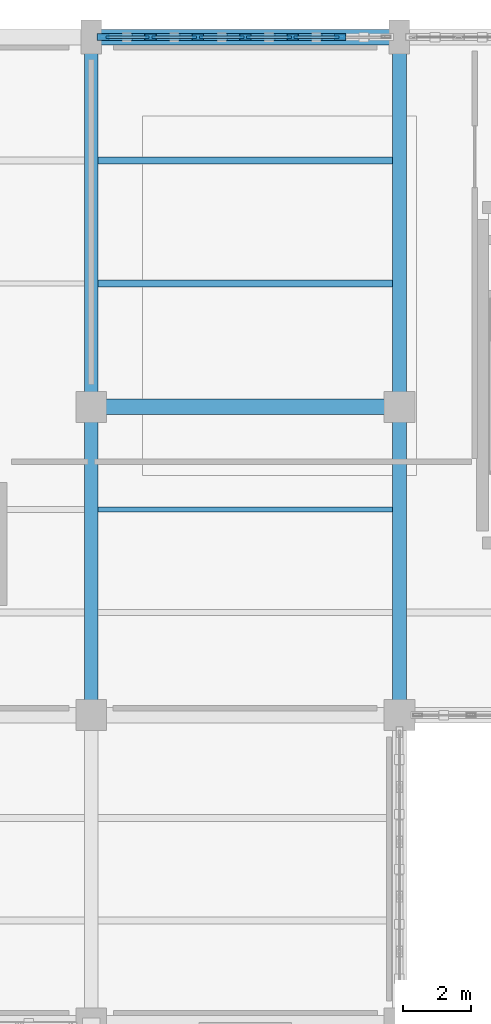
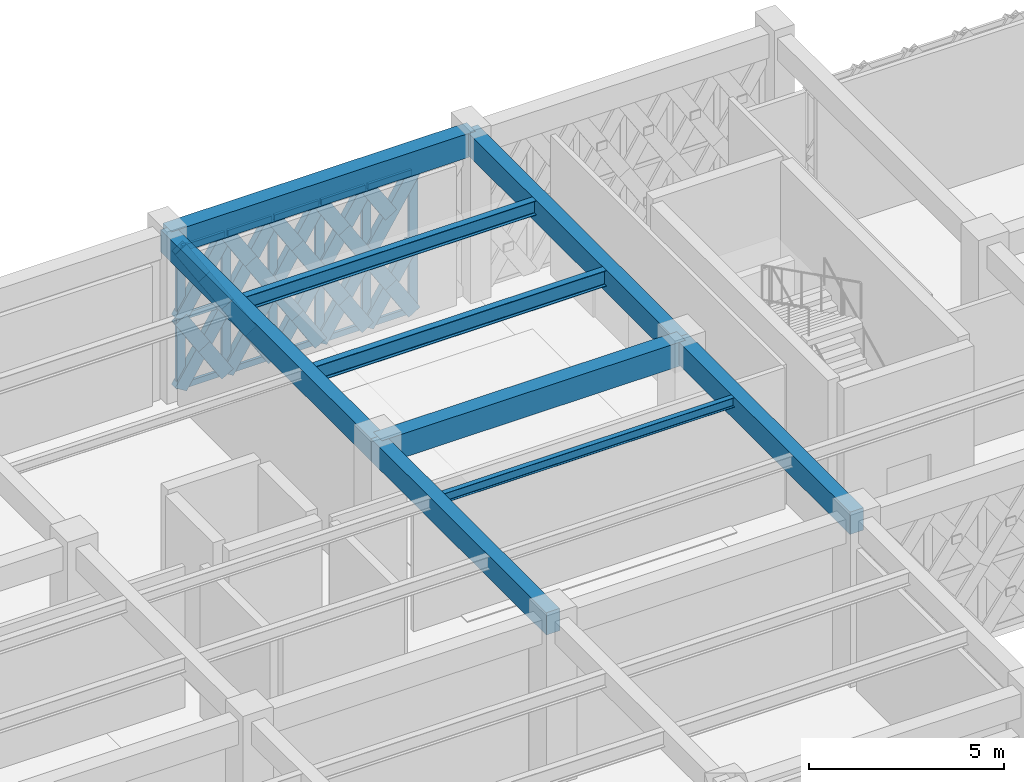
# One storey, part 91 of 166: 50 members, 9 beams, 1 element without a shape of its own.
"""IFC4 building model written with IfcOpenShell, lengths in metres."""

from ifc_helpers import new_model, si_unit, direction, frame, origin, origin_2d, place, context, subcontext, project, spatial, rectangle, hollow_rectangle, i_section, extrude, material, material_profile, profile_set, type_object, element, aggregate, save


model = new_model("IFC4")

# Units and contexts
model_context = context("Model", 3, precision=1e-05, world=origin(), true_north=direction((0.0, 1.0)))
body_context = subcontext(model_context, "Body", "Model", "MODEL_VIEW")
ifc_project = project(units=[si_unit("LENGTHUNIT", "METRE"), si_unit("AREAUNIT", "SQUARE_METRE"), si_unit("VOLUMEUNIT", "CUBIC_METRE"), si_unit("PLANEANGLEUNIT", "RADIAN"), si_unit("MASSUNIT", "GRAM", prefix="KILO")], contexts=[model_context])

# Site, building, storey
site_placement = place(None, origin())
site = spatial("IfcSite", under=ifc_project, at=site_placement, CompositionType="ELEMENT")
building_placement = place(site_placement, origin())
building = spatial("IfcBuilding", under=site, at=building_placement, Name="Haizhuo Lancet Aquarium", CompositionType="ELEMENT")
storey_placement = place(building_placement, frame((0.0, 0.0, 5.39990234375)))
storey = spatial("IfcBuildingStorey", under=building, at=storey_placement, Name="L01", CompositionType="ELEMENT", Elevation=5.39990234375)

# Beams
ifc_material_1 = material(Name="Concrete C40/50", Category="concrete")
ifc_material_profile_1 = material_profile(ifc_material_1, rectangle(XDim=0.39990234375, YDim=0.699951171875, at=origin_2d()), Name="RC-BM 400x700")
ifc_profile_set_1 = profile_set([ifc_material_profile_1], Name="Concrete C40/50")
beam_type_1 = type_object("IfcBeamType", Name="BM-RC-400x700", PredefinedType="BEAM", material=ifc_profile_set_1)
beam_1_placement = place(storey_placement, frame((0.0, 36.0, 4.7900390625), z_axis=(0.0, 1.0, 0.0), x_axis=(-1.0, 0.0, 0.0)))
element("IfcBeam", 1, at=beam_1_placement, inside=storey, type_object=beam_type_1, Name="L01 V5 primary girder BM-L01-V5-018", PredefinedType="BEAM", context=body_context, shape_type="SweptSolid", body=[
    extrude(rectangle(XDim=0.39990234375, YDim=0.699951171875, at=origin_2d()), origin(), (0.0, 0.0, 1.0), 9.0),
])
beam_2_placement = place(storey_placement, frame((0.0, 45.0, 4.7900390625), z_axis=(0.0, 1.0, 0.0), x_axis=(-1.0, 0.0, 0.0)))
element("IfcBeam", 2, at=beam_2_placement, inside=storey, type_object=beam_type_1, Name="L01 V5 primary girder BM-L01-V5-020", PredefinedType="BEAM", context=body_context, shape_type="SweptSolid", body=[
    extrude(rectangle(XDim=0.39990234375, YDim=0.699951171875, at=origin_2d()), origin(), (0.0, 0.0, 1.0), 10.800048828125),
])
beam_3_placement = place(storey_placement, frame((9.0, 36.0, 4.7900390625), z_axis=(0.0, 1.0, 0.0), x_axis=(-1.0, 0.0, 0.0)))
element("IfcBeam", 3, at=beam_3_placement, inside=storey, type_object=beam_type_1, Name="L01 V5 primary girder BM-L01-V5-024", PredefinedType="BEAM", context=body_context, shape_type="SweptSolid", body=[
    extrude(rectangle(XDim=0.39990234375, YDim=0.699951171875, at=origin_2d()), origin(), (0.0, 0.0, 1.0), 9.0),
])
beam_4_placement = place(storey_placement, frame((9.0, 45.0, 4.7900390625), z_axis=(0.0, 1.0, 0.0), x_axis=(-1.0, 0.0, 0.0)))
element("IfcBeam", 4, at=beam_4_placement, inside=storey, type_object=beam_type_1, Name="L01 V5 primary girder BM-L01-V5-026", PredefinedType="BEAM", context=body_context, shape_type="SweptSolid", body=[
    extrude(rectangle(XDim=0.39990234375, YDim=0.699951171875, at=origin_2d()), origin(), (0.0, 0.0, 1.0), 10.800048828125),
])
ifc_material_profile_2 = material_profile(ifc_material_1, rectangle(XDim=0.449951171875, YDim=0.75, at=origin_2d()), Name="RC-BM 450x750")
ifc_profile_set_2 = profile_set([ifc_material_profile_2], Name="Concrete C40/50")
beam_type_2 = type_object("IfcBeamType", Name="BM-RC-450x750", PredefinedType="BEAM", material=ifc_profile_set_2)
for number, where, z_axis, x_axis, name in (
    (5, (0.0, 45.0, 4.76513671875), (1.0, 0.0, 0.0), (0.0, 1.0, 0.0), "L01 V5 primary girder BM-L01-V5-021"),
    (6, (0.0, 55.800048828125, 4.76513671875), (1.0, 0.0, 0.0), (0.0, 1.0, 0.0), "L01 V5 primary girder BM-L01-V5-022"),
):
    element("IfcBeam", number, at=place(storey_placement, frame(where, z_axis=z_axis, x_axis=x_axis)), inside=storey, type_object=beam_type_2, Name=name, PredefinedType="BEAM", context=body_context, shape_type="SweptSolid", body=[
        extrude(rectangle(XDim=0.449951171875, YDim=0.75, at=origin_2d()), origin(), (0.0, 0.0, 1.0), 9.0),
    ])

# Curtain wall, members
ifc_material_2 = material(Name="Aluminium 6063-T6", Category="aluminium")
curtain_wall_type = type_object("IfcCurtainWallType", Name="CWD-8310x4390", PredefinedType="NOTDEFINED", material=ifc_material_2)
curtain_wall_placement = place(storey_placement, origin())
curtain_wall = element("IfcCurtainWall", 7, at=curtain_wall_placement, inside=storey, type_object=curtain_wall_type, Name="L01 curtain wall CW-V5-L01-132", PredefinedType="NOTDEFINED")
ifc_material_profile_3 = material_profile(ifc_material_2, hollow_rectangle(XDim=0.080078125, YDim=0.260009765625, WallThickness=0.0048828125, at=origin_2d()), Name="ALU-M 80x260x5")
ifc_profile_set_3 = profile_set([ifc_material_profile_3], Name="Aluminium 6063-T6")
member_type_1 = type_object("IfcMemberType", Name="CW-MUL-3", PredefinedType="MULLION", material=ifc_profile_set_3)
member_1_placement = place(storey_placement, frame((0.385009765625, 55.800048828125, 0.0), z_axis=(0.0, 0.0, 1.0), x_axis=(0.0, 1.0, 0.0)))
member_1 = element("IfcMember", 8, at=member_1_placement, type_object=member_type_1, Name="CWD-83x43 mullion 1", PredefinedType="MULLION", context=body_context, shape_type="SweptSolid", body=[
    extrude(hollow_rectangle(XDim=0.080078125, YDim=0.260009765625, WallThickness=0.0048828125, at=origin_2d()), origin(), (0.0, 0.0, 1.0), 4.39013671875),
])
member_2_placement = place(storey_placement, frame((1.72998046875, 55.800048828125, 0.0), z_axis=(0.0, 0.0, 1.0), x_axis=(0.0, 1.0, 0.0)))
member_2 = element("IfcMember", 9, at=member_2_placement, type_object=member_type_1, Name="CWD-83x43 mullion 2", PredefinedType="MULLION", context=body_context, shape_type="SweptSolid", body=[
    extrude(hollow_rectangle(XDim=0.080078125, YDim=0.260009765625, WallThickness=0.0048828125, at=origin_2d()), origin(), (0.0, 0.0, 1.0), 4.39013671875),
])
member_3_placement = place(storey_placement, frame((3.114990234375, 55.800048828125, 0.0), z_axis=(0.0, 0.0, 1.0), x_axis=(0.0, 1.0, 0.0)))
member_3 = element("IfcMember", 10, at=member_3_placement, type_object=member_type_1, Name="CWD-83x43 mullion 3", PredefinedType="MULLION", context=body_context, shape_type="SweptSolid", body=[
    extrude(hollow_rectangle(XDim=0.080078125, YDim=0.260009765625, WallThickness=0.0048828125, at=origin_2d()), origin(), (0.0, 0.0, 1.0), 4.39013671875),
])
member_4_placement = place(storey_placement, frame((4.5, 55.800048828125, 0.0), z_axis=(0.0, 0.0, 1.0), x_axis=(0.0, 1.0, 0.0)))
member_4 = element("IfcMember", 11, at=member_4_placement, type_object=member_type_1, Name="CWD-83x43 mullion 4", PredefinedType="MULLION", context=body_context, shape_type="SweptSolid", body=[
    extrude(hollow_rectangle(XDim=0.080078125, YDim=0.260009765625, WallThickness=0.0048828125, at=origin_2d()), origin(), (0.0, 0.0, 1.0), 4.39013671875),
])
member_5_placement = place(storey_placement, frame((5.885009765625, 55.800048828125, 0.0), z_axis=(0.0, 0.0, 1.0), x_axis=(0.0, 1.0, 0.0)))
member_5 = element("IfcMember", 12, at=member_5_placement, type_object=member_type_1, Name="CWD-83x43 mullion 5", PredefinedType="MULLION", context=body_context, shape_type="SweptSolid", body=[
    extrude(hollow_rectangle(XDim=0.080078125, YDim=0.260009765625, WallThickness=0.0048828125, at=origin_2d()), origin(), (0.0, 0.0, 1.0), 4.39013671875),
])
member_6_placement = place(storey_placement, frame((7.27001953125, 55.800048828125, 0.0), z_axis=(0.0, 0.0, 1.0), x_axis=(0.0, 1.0, 0.0)))
member_6 = element("IfcMember", 13, at=member_6_placement, type_object=member_type_1, Name="CWD-83x43 mullion 6", PredefinedType="MULLION", context=body_context, shape_type="SweptSolid", body=[
    extrude(hollow_rectangle(XDim=0.080078125, YDim=0.260009765625, WallThickness=0.0048828125, at=origin_2d()), origin(), (0.0, 0.0, 1.0), 4.39013671875),
])
ifc_material_profile_4 = material_profile(ifc_material_2, hollow_rectangle(XDim=0.080078125, YDim=0.18994140625, WallThickness=0.0048828125, at=origin_2d()), Name="ALU-T 80x190x5")
ifc_profile_set_4 = profile_set([ifc_material_profile_4], Name="Aluminium 6063-T6")
member_type_2 = type_object("IfcMemberType", Name="CW-TRN-3", PredefinedType="NOTDEFINED", material=ifc_profile_set_4)
member_7_placement = place(storey_placement, frame((0.425048828125, 55.800048828125, 0.0400390625), z_axis=(1.0, 0.0, 0.0), x_axis=(0.0, 1.0, 0.0)))
member_7 = element("IfcMember", 14, at=member_7_placement, type_object=member_type_2, Name="CWD-83x43 transom 1.1", ObjectType="TRANSOM", PredefinedType="USERDEFINED", context=body_context, shape_type="SweptSolid", body=[
    extrude(hollow_rectangle(XDim=0.080078125, YDim=0.18994140625, WallThickness=0.0048828125, at=origin_2d()), origin(), (0.0, 0.0, 1.0), 1.264892578125),
])
member_8_placement = place(storey_placement, frame((0.425048828125, 55.800048828125, 2.195068359375), z_axis=(1.0, 0.0, 0.0), x_axis=(0.0, 1.0, 0.0)))
member_8 = element("IfcMember", 15, at=member_8_placement, type_object=member_type_2, Name="CWD-83x43 transom 1.2", ObjectType="TRANSOM", PredefinedType="USERDEFINED", context=body_context, shape_type="SweptSolid", body=[
    extrude(hollow_rectangle(XDim=0.080078125, YDim=0.18994140625, WallThickness=0.0048828125, at=origin_2d()), origin(), (0.0, 0.0, 1.0), 1.264892578125),
])
member_9_placement = place(storey_placement, frame((0.425048828125, 55.800048828125, 4.35009765625), z_axis=(1.0, 0.0, 0.0), x_axis=(0.0, 1.0, 0.0)))
member_9 = element("IfcMember", 16, at=member_9_placement, type_object=member_type_2, Name="CWD-83x43 transom 1.3", ObjectType="TRANSOM", PredefinedType="USERDEFINED", context=body_context, shape_type="SweptSolid", body=[
    extrude(hollow_rectangle(XDim=0.080078125, YDim=0.18994140625, WallThickness=0.0048828125, at=origin_2d()), origin(), (0.0, 0.0, 1.0), 1.264892578125),
])
member_10_placement = place(storey_placement, frame((1.77001953125, 55.800048828125, 0.0400390625), z_axis=(1.0, 0.0, 0.0), x_axis=(0.0, 1.0, 0.0)))
member_10 = element("IfcMember", 17, at=member_10_placement, type_object=member_type_2, Name="CWD-83x43 transom 2.1", ObjectType="TRANSOM", PredefinedType="USERDEFINED", context=body_context, shape_type="SweptSolid", body=[
    extrude(hollow_rectangle(XDim=0.080078125, YDim=0.18994140625, WallThickness=0.0048828125, at=origin_2d()), origin(), (0.0, 0.0, 1.0), 1.304931640625),
])
member_11_placement = place(storey_placement, frame((1.77001953125, 55.800048828125, 2.195068359375), z_axis=(1.0, 0.0, 0.0), x_axis=(0.0, 1.0, 0.0)))
member_11 = element("IfcMember", 18, at=member_11_placement, type_object=member_type_2, Name="CWD-83x43 transom 2.2", ObjectType="TRANSOM", PredefinedType="USERDEFINED", context=body_context, shape_type="SweptSolid", body=[
    extrude(hollow_rectangle(XDim=0.080078125, YDim=0.18994140625, WallThickness=0.0048828125, at=origin_2d()), origin(), (0.0, 0.0, 1.0), 1.304931640625),
])
member_12_placement = place(storey_placement, frame((1.77001953125, 55.800048828125, 4.35009765625), z_axis=(1.0, 0.0, 0.0), x_axis=(0.0, 1.0, 0.0)))
member_12 = element("IfcMember", 19, at=member_12_placement, type_object=member_type_2, Name="CWD-83x43 transom 2.3", ObjectType="TRANSOM", PredefinedType="USERDEFINED", context=body_context, shape_type="SweptSolid", body=[
    extrude(hollow_rectangle(XDim=0.080078125, YDim=0.18994140625, WallThickness=0.0048828125, at=origin_2d()), origin(), (0.0, 0.0, 1.0), 1.304931640625),
])
member_13_placement = place(storey_placement, frame((3.155029296875, 55.800048828125, 0.0400390625), z_axis=(1.0, 0.0, 0.0), x_axis=(0.0, 1.0, 0.0)))
member_13 = element("IfcMember", 20, at=member_13_placement, type_object=member_type_2, Name="CWD-83x43 transom 3.1", ObjectType="TRANSOM", PredefinedType="USERDEFINED", context=body_context, shape_type="SweptSolid", body=[
    extrude(hollow_rectangle(XDim=0.080078125, YDim=0.18994140625, WallThickness=0.0048828125, at=origin_2d()), origin(), (0.0, 0.0, 1.0), 1.304931640625),
])
member_14_placement = place(storey_placement, frame((3.155029296875, 55.800048828125, 2.195068359375), z_axis=(1.0, 0.0, 0.0), x_axis=(0.0, 1.0, 0.0)))
member_14 = element("IfcMember", 21, at=member_14_placement, type_object=member_type_2, Name="CWD-83x43 transom 3.2", ObjectType="TRANSOM", PredefinedType="USERDEFINED", context=body_context, shape_type="SweptSolid", body=[
    extrude(hollow_rectangle(XDim=0.080078125, YDim=0.18994140625, WallThickness=0.0048828125, at=origin_2d()), origin(), (0.0, 0.0, 1.0), 1.304931640625),
])
member_15_placement = place(storey_placement, frame((3.155029296875, 55.800048828125, 4.35009765625), z_axis=(1.0, 0.0, 0.0), x_axis=(0.0, 1.0, 0.0)))
member_15 = element("IfcMember", 22, at=member_15_placement, type_object=member_type_2, Name="CWD-83x43 transom 3.3", ObjectType="TRANSOM", PredefinedType="USERDEFINED", context=body_context, shape_type="SweptSolid", body=[
    extrude(hollow_rectangle(XDim=0.080078125, YDim=0.18994140625, WallThickness=0.0048828125, at=origin_2d()), origin(), (0.0, 0.0, 1.0), 1.304931640625),
])
member_16_placement = place(storey_placement, frame((4.5400390625, 55.800048828125, 0.0400390625), z_axis=(1.0, 0.0, 0.0), x_axis=(0.0, 1.0, 0.0)))
member_16 = element("IfcMember", 23, at=member_16_placement, type_object=member_type_2, Name="CWD-83x43 transom 4.1", ObjectType="TRANSOM", PredefinedType="USERDEFINED", context=body_context, shape_type="SweptSolid", body=[
    extrude(hollow_rectangle(XDim=0.080078125, YDim=0.18994140625, WallThickness=0.0048828125, at=origin_2d()), origin(), (0.0, 0.0, 1.0), 1.304931640625),
])
member_17_placement = place(storey_placement, frame((4.5400390625, 55.800048828125, 2.195068359375), z_axis=(1.0, 0.0, 0.0), x_axis=(0.0, 1.0, 0.0)))
member_17 = element("IfcMember", 24, at=member_17_placement, type_object=member_type_2, Name="CWD-83x43 transom 4.2", ObjectType="TRANSOM", PredefinedType="USERDEFINED", context=body_context, shape_type="SweptSolid", body=[
    extrude(hollow_rectangle(XDim=0.080078125, YDim=0.18994140625, WallThickness=0.0048828125, at=origin_2d()), origin(), (0.0, 0.0, 1.0), 1.304931640625),
])
member_18_placement = place(storey_placement, frame((4.5400390625, 55.800048828125, 4.35009765625), z_axis=(1.0, 0.0, 0.0), x_axis=(0.0, 1.0, 0.0)))
member_18 = element("IfcMember", 25, at=member_18_placement, type_object=member_type_2, Name="CWD-83x43 transom 4.3", ObjectType="TRANSOM", PredefinedType="USERDEFINED", context=body_context, shape_type="SweptSolid", body=[
    extrude(hollow_rectangle(XDim=0.080078125, YDim=0.18994140625, WallThickness=0.0048828125, at=origin_2d()), origin(), (0.0, 0.0, 1.0), 1.304931640625),
])
member_19_placement = place(storey_placement, frame((5.925048828125, 55.800048828125, 0.0400390625), z_axis=(1.0, 0.0, 0.0), x_axis=(0.0, 1.0, 0.0)))
member_19 = element("IfcMember", 26, at=member_19_placement, type_object=member_type_2, Name="CWD-83x43 transom 5.1", ObjectType="TRANSOM", PredefinedType="USERDEFINED", context=body_context, shape_type="SweptSolid", body=[
    extrude(hollow_rectangle(XDim=0.080078125, YDim=0.18994140625, WallThickness=0.0048828125, at=origin_2d()), origin(), (0.0, 0.0, 1.0), 1.304931640625),
])
member_20_placement = place(storey_placement, frame((5.925048828125, 55.800048828125, 2.195068359375), z_axis=(1.0, 0.0, 0.0), x_axis=(0.0, 1.0, 0.0)))
member_20 = element("IfcMember", 27, at=member_20_placement, type_object=member_type_2, Name="CWD-83x43 transom 5.2", ObjectType="TRANSOM", PredefinedType="USERDEFINED", context=body_context, shape_type="SweptSolid", body=[
    extrude(hollow_rectangle(XDim=0.080078125, YDim=0.18994140625, WallThickness=0.0048828125, at=origin_2d()), origin(), (0.0, 0.0, 1.0), 1.304931640625),
])
member_21_placement = place(storey_placement, frame((5.925048828125, 55.800048828125, 4.35009765625), z_axis=(1.0, 0.0, 0.0), x_axis=(0.0, 1.0, 0.0)))
member_21 = element("IfcMember", 28, at=member_21_placement, type_object=member_type_2, Name="CWD-83x43 transom 5.3", ObjectType="TRANSOM", PredefinedType="USERDEFINED", context=body_context, shape_type="SweptSolid", body=[
    extrude(hollow_rectangle(XDim=0.080078125, YDim=0.18994140625, WallThickness=0.0048828125, at=origin_2d()), origin(), (0.0, 0.0, 1.0), 1.304931640625),
])
aggregate(curtain_wall, [member_1, member_2, member_3, member_4, member_5, member_6, member_7, member_8, member_9, member_10, member_11, member_12, member_13, member_14, member_15, member_16, member_17, member_18, member_19, member_20, member_21])

# Beams
ifc_material_3 = material(Name="Steel S355", Category="steel")
ifc_material_profile_5 = material_profile(ifc_material_3, i_section(OverallWidth=0.14990234375, OverallDepth=0.300048828125, WebThickness=0.006591796875, FlangeThickness=0.009033203125, FilletRadius=0.012939453125, at=origin_2d()), Name="HN 300x150x6.5x9")
ifc_profile_set_5 = profile_set([ifc_material_profile_5], Name="Steel S355")
beam_type_3 = type_object("IfcBeamType", Name="JST-ST-HN300", PredefinedType="JOIST", material=ifc_profile_set_5)
beam_5_placement = place(storey_placement, frame((0.199951171875, 42.0, 4.989990234375), z_axis=(1.0, 0.0, 0.0), x_axis=(0.0, 1.0, 0.0)))
element("IfcBeam", 29, at=beam_5_placement, inside=storey, type_object=beam_type_3, Name="L01 V5 secondary floor joist 17", PredefinedType="JOIST", context=body_context, shape_type="SweptSolid", body=[
    extrude(i_section(OverallWidth=0.14990234375, OverallDepth=0.300048828125, WebThickness=0.006591796875, FlangeThickness=0.009033203125, FilletRadius=0.012939453125, at=origin_2d()), origin(), (0.0, 0.0, 1.0), 8.60009765625),
])
ifc_material_profile_6 = material_profile(ifc_material_3, i_section(OverallWidth=0.199951171875, OverallDepth=0.449951171875, WebThickness=0.009033203125, FlangeThickness=0.013916015625, FilletRadius=0.01806640625, at=origin_2d()), Name="HN 450x200x9x14")
ifc_profile_set_6 = profile_set([ifc_material_profile_6], Name="Steel S355")
beam_type_4 = type_object("IfcBeamType", Name="JST-ST-HN450", PredefinedType="JOIST", material=ifc_profile_set_6)
beam_6_placement = place(storey_placement, frame((0.199951171875, 52.199951171875, 4.9150390625), z_axis=(1.0, 0.0, 0.0), x_axis=(0.0, 1.0, 0.0)))
element("IfcBeam", 30, at=beam_6_placement, inside=storey, type_object=beam_type_4, Name="L01 V5 secondary floor joist 19", PredefinedType="JOIST", context=body_context, shape_type="SweptSolid", body=[
    extrude(i_section(OverallWidth=0.199951171875, OverallDepth=0.449951171875, WebThickness=0.009033203125, FlangeThickness=0.013916015625, FilletRadius=0.01806640625, at=origin_2d()), origin(), (0.0, 0.0, 1.0), 8.60009765625),
])
ifc_material_profile_7 = material_profile(ifc_material_3, i_section(OverallWidth=0.199951171875, OverallDepth=0.5, WebThickness=0.010009765625, FlangeThickness=0.01611328125, FilletRadius=0.02001953125, at=origin_2d()), Name="HN 500x200x10x16")
ifc_profile_set_7 = profile_set([ifc_material_profile_7], Name="Steel S355")
beam_type_5 = type_object("IfcBeamType", Name="JST-ST-HN500", PredefinedType="JOIST", material=ifc_profile_set_7)
beam_7_placement = place(storey_placement, frame((0.199951171875, 48.60009765625, 4.89013671875), z_axis=(1.0, 0.0, 0.0), x_axis=(0.0, 1.0, 0.0)))
element("IfcBeam", 31, at=beam_7_placement, inside=storey, type_object=beam_type_5, Name="L01 V5 secondary floor joist 18", PredefinedType="JOIST", context=body_context, shape_type="SweptSolid", body=[
    extrude(i_section(OverallWidth=0.199951171875, OverallDepth=0.5, WebThickness=0.010009765625, FlangeThickness=0.01611328125, FilletRadius=0.02001953125, at=origin_2d()), origin(), (0.0, 0.0, 1.0), 8.60009765625),
])

# Members
ifc_material_profile_8 = material_profile(ifc_material_3, hollow_rectangle(XDim=0.199951171875, YDim=0.39990234375, WallThickness=0.011962890625, at=origin_2d()), Name="RHS 200x400x12")
ifc_profile_set_8 = profile_set([ifc_material_profile_8], Name="Steel S355")
member_type_3 = type_object("IfcMemberType", Name="MEM-LB-RHS200x400", PredefinedType="BRACE", material=ifc_profile_set_8)
member_22_placement = place(storey_placement, frame((0.344970703125, 55.800048828125, 0.0), z_axis=(0.533621343044, 0.0, 0.845723514068), x_axis=(0.0, 1.0, 0.0)))
element("IfcMember", 32, at=member_22_placement, inside=storey, type_object=member_type_3, Name="Gothic lancet continuous diagonal brace CW-V5-L01-132 1A", PredefinedType="BRACE", context=body_context, shape_type="SweptSolid", body=[
    extrude(hollow_rectangle(XDim=0.199951171875, YDim=0.39990234375, WallThickness=0.011962890625, at=origin_2d()), origin(), (0.0, 0.0, 1.0), 2.595458984375),
])
member_23_placement = place(storey_placement, frame((1.72998046875, 55.800048828125, 0.0), z_axis=(-0.533072666109, 0.0, 0.846069460888), x_axis=(0.0, -1.0, 0.0)))
element("IfcMember", 33, at=member_23_placement, inside=storey, type_object=member_type_3, Name="Gothic lancet split diagonal brace CW-V5-L01-132 1B1", PredefinedType="BRACE", context=body_context, shape_type="SweptSolid", body=[
    extrude(hollow_rectangle(XDim=0.199951171875, YDim=0.39990234375, WallThickness=0.011962890625, at=origin_2d()), origin(), (0.0, 0.0, 1.0), 1.2978515625),
])
member_24_placement = place(storey_placement, frame((1.0380859375, 55.800048828125, 1.09814453125), z_axis=(-0.534169956473, 0.0, 0.845377109698), x_axis=(0.0, -1.0, 0.0)))
element("IfcMember", 34, at=member_24_placement, inside=storey, type_object=member_type_3, Name="Gothic lancet split diagonal brace CW-V5-L01-132 1B2", PredefinedType="BRACE", context=body_context, shape_type="SweptSolid", body=[
    extrude(hollow_rectangle(XDim=0.199951171875, YDim=0.39990234375, WallThickness=0.011962890625, at=origin_2d()), origin(), (0.0, 0.0, 1.0), 1.297607421875),
])
member_25_placement = place(storey_placement, frame((0.344970703125, 55.800048828125, 2.195068359375), z_axis=(0.533621343044, 0.0, 0.845723514068), x_axis=(0.0, 1.0, 0.0)))
element("IfcMember", 35, at=member_25_placement, inside=storey, type_object=member_type_3, Name="Gothic lancet continuous diagonal brace CW-V5-L01-132 2A", PredefinedType="BRACE", context=body_context, shape_type="SweptSolid", body=[
    extrude(hollow_rectangle(XDim=0.199951171875, YDim=0.39990234375, WallThickness=0.011962890625, at=origin_2d()), origin(), (0.0, 0.0, 1.0), 2.595458984375),
])
member_26_placement = place(storey_placement, frame((1.72998046875, 55.800048828125, 2.195068359375), z_axis=(-0.533497115598, 0.0, 0.845801884397), x_axis=(0.0, -1.0, 0.0)))
element("IfcMember", 36, at=member_26_placement, inside=storey, type_object=member_type_3, Name="Gothic lancet split diagonal brace CW-V5-L01-132 2B1", PredefinedType="BRACE", context=body_context, shape_type="SweptSolid", body=[
    extrude(hollow_rectangle(XDim=0.199951171875, YDim=0.39990234375, WallThickness=0.011962890625, at=origin_2d()), origin(), (0.0, 0.0, 1.0), 1.296875),
])
member_27_placement = place(storey_placement, frame((1.0380859375, 55.800048828125, 3.2919921875), z_axis=(-0.533745397925, 0.0, 0.845645227146), x_axis=(0.0, -1.0, 0.0)))
element("IfcMember", 37, at=member_27_placement, inside=storey, type_object=member_type_3, Name="Gothic lancet split diagonal brace CW-V5-L01-132 2B2", PredefinedType="BRACE", context=body_context, shape_type="SweptSolid", body=[
    extrude(hollow_rectangle(XDim=0.199951171875, YDim=0.39990234375, WallThickness=0.011962890625, at=origin_2d()), origin(), (0.0, 0.0, 1.0), 1.298583984375),
])
member_28_placement = place(storey_placement, frame((1.72998046875, 55.800048828125, 0.0), z_axis=(0.533621343044, 0.0, 0.845723514068), x_axis=(0.0, 1.0, 0.0)))
element("IfcMember", 38, at=member_28_placement, inside=storey, type_object=member_type_3, Name="Gothic lancet continuous diagonal brace CW-V5-L01-132 3A", PredefinedType="BRACE", context=body_context, shape_type="SweptSolid", body=[
    extrude(hollow_rectangle(XDim=0.199951171875, YDim=0.39990234375, WallThickness=0.011962890625, at=origin_2d()), origin(), (0.0, 0.0, 1.0), 2.595458984375),
])
member_29_placement = place(storey_placement, frame((3.114990234375, 55.800048828125, 0.0), z_axis=(-0.533072666109, 0.0, 0.846069460888), x_axis=(0.0, -1.0, 0.0)))
element("IfcMember", 39, at=member_29_placement, inside=storey, type_object=member_type_3, Name="Gothic lancet split diagonal brace CW-V5-L01-132 3B1", PredefinedType="BRACE", context=body_context, shape_type="SweptSolid", body=[
    extrude(hollow_rectangle(XDim=0.199951171875, YDim=0.39990234375, WallThickness=0.011962890625, at=origin_2d()), origin(), (0.0, 0.0, 1.0), 1.2978515625),
])
member_30_placement = place(storey_placement, frame((2.423095703125, 55.800048828125, 1.09814453125), z_axis=(-0.534169956473, 0.0, 0.845377109698), x_axis=(0.0, -1.0, 0.0)))
element("IfcMember", 40, at=member_30_placement, inside=storey, type_object=member_type_3, Name="Gothic lancet split diagonal brace CW-V5-L01-132 3B2", PredefinedType="BRACE", context=body_context, shape_type="SweptSolid", body=[
    extrude(hollow_rectangle(XDim=0.199951171875, YDim=0.39990234375, WallThickness=0.011962890625, at=origin_2d()), origin(), (0.0, 0.0, 1.0), 1.297607421875),
])
member_31_placement = place(storey_placement, frame((1.72998046875, 55.800048828125, 2.195068359375), z_axis=(0.533621343044, 0.0, 0.845723514068), x_axis=(0.0, 1.0, 0.0)))
element("IfcMember", 41, at=member_31_placement, inside=storey, type_object=member_type_3, Name="Gothic lancet continuous diagonal brace CW-V5-L01-132 4A", PredefinedType="BRACE", context=body_context, shape_type="SweptSolid", body=[
    extrude(hollow_rectangle(XDim=0.199951171875, YDim=0.39990234375, WallThickness=0.011962890625, at=origin_2d()), origin(), (0.0, 0.0, 1.0), 2.595458984375),
])
member_32_placement = place(storey_placement, frame((3.114990234375, 55.800048828125, 2.195068359375), z_axis=(-0.533497115598, 0.0, 0.845801884397), x_axis=(0.0, -1.0, 0.0)))
element("IfcMember", 42, at=member_32_placement, inside=storey, type_object=member_type_3, Name="Gothic lancet split diagonal brace CW-V5-L01-132 4B1", PredefinedType="BRACE", context=body_context, shape_type="SweptSolid", body=[
    extrude(hollow_rectangle(XDim=0.199951171875, YDim=0.39990234375, WallThickness=0.011962890625, at=origin_2d()), origin(), (0.0, 0.0, 1.0), 1.296875),
])
member_33_placement = place(storey_placement, frame((2.423095703125, 55.800048828125, 3.2919921875), z_axis=(-0.533745397925, 0.0, 0.845645227146), x_axis=(0.0, -1.0, 0.0)))
element("IfcMember", 43, at=member_33_placement, inside=storey, type_object=member_type_3, Name="Gothic lancet split diagonal brace CW-V5-L01-132 4B2", PredefinedType="BRACE", context=body_context, shape_type="SweptSolid", body=[
    extrude(hollow_rectangle(XDim=0.199951171875, YDim=0.39990234375, WallThickness=0.011962890625, at=origin_2d()), origin(), (0.0, 0.0, 1.0), 1.298583984375),
])
member_34_placement = place(storey_placement, frame((3.114990234375, 55.800048828125, 0.0), z_axis=(0.533621343044, 0.0, 0.845723514068), x_axis=(0.0, 1.0, 0.0)))
element("IfcMember", 44, at=member_34_placement, inside=storey, type_object=member_type_3, Name="Gothic lancet continuous diagonal brace CW-V5-L01-132 5A", PredefinedType="BRACE", context=body_context, shape_type="SweptSolid", body=[
    extrude(hollow_rectangle(XDim=0.199951171875, YDim=0.39990234375, WallThickness=0.011962890625, at=origin_2d()), origin(), (0.0, 0.0, 1.0), 2.595458984375),
])
member_35_placement = place(storey_placement, frame((4.5, 55.800048828125, 0.0), z_axis=(-0.533072666109, 0.0, 0.846069460888), x_axis=(0.0, -1.0, 0.0)))
element("IfcMember", 45, at=member_35_placement, inside=storey, type_object=member_type_3, Name="Gothic lancet split diagonal brace CW-V5-L01-132 5B1", PredefinedType="BRACE", context=body_context, shape_type="SweptSolid", body=[
    extrude(hollow_rectangle(XDim=0.199951171875, YDim=0.39990234375, WallThickness=0.011962890625, at=origin_2d()), origin(), (0.0, 0.0, 1.0), 1.2978515625),
])
member_36_placement = place(storey_placement, frame((3.80810546875, 55.800048828125, 1.09814453125), z_axis=(-0.534169956473, 0.0, 0.845377109698), x_axis=(0.0, -1.0, 0.0)))
element("IfcMember", 46, at=member_36_placement, inside=storey, type_object=member_type_3, Name="Gothic lancet split diagonal brace CW-V5-L01-132 5B2", PredefinedType="BRACE", context=body_context, shape_type="SweptSolid", body=[
    extrude(hollow_rectangle(XDim=0.199951171875, YDim=0.39990234375, WallThickness=0.011962890625, at=origin_2d()), origin(), (0.0, 0.0, 1.0), 1.297607421875),
])
member_37_placement = place(storey_placement, frame((3.114990234375, 55.800048828125, 2.195068359375), z_axis=(0.533621343044, 0.0, 0.845723514068), x_axis=(0.0, 1.0, 0.0)))
element("IfcMember", 47, at=member_37_placement, inside=storey, type_object=member_type_3, Name="Gothic lancet continuous diagonal brace CW-V5-L01-132 6A", PredefinedType="BRACE", context=body_context, shape_type="SweptSolid", body=[
    extrude(hollow_rectangle(XDim=0.199951171875, YDim=0.39990234375, WallThickness=0.011962890625, at=origin_2d()), origin(), (0.0, 0.0, 1.0), 2.595458984375),
])
member_38_placement = place(storey_placement, frame((4.5, 55.800048828125, 2.195068359375), z_axis=(-0.533497115598, 0.0, 0.845801884397), x_axis=(0.0, -1.0, 0.0)))
element("IfcMember", 48, at=member_38_placement, inside=storey, type_object=member_type_3, Name="Gothic lancet split diagonal brace CW-V5-L01-132 6B1", PredefinedType="BRACE", context=body_context, shape_type="SweptSolid", body=[
    extrude(hollow_rectangle(XDim=0.199951171875, YDim=0.39990234375, WallThickness=0.011962890625, at=origin_2d()), origin(), (0.0, 0.0, 1.0), 1.296875),
])
member_39_placement = place(storey_placement, frame((3.80810546875, 55.800048828125, 3.2919921875), z_axis=(-0.533745397925, 0.0, 0.845645227146), x_axis=(0.0, -1.0, 0.0)))
element("IfcMember", 49, at=member_39_placement, inside=storey, type_object=member_type_3, Name="Gothic lancet split diagonal brace CW-V5-L01-132 6B2", PredefinedType="BRACE", context=body_context, shape_type="SweptSolid", body=[
    extrude(hollow_rectangle(XDim=0.199951171875, YDim=0.39990234375, WallThickness=0.011962890625, at=origin_2d()), origin(), (0.0, 0.0, 1.0), 1.298583984375),
])
member_40_placement = place(storey_placement, frame((4.5, 55.800048828125, 0.0), z_axis=(0.533621343044, 0.0, 0.845723514068), x_axis=(0.0, 1.0, 0.0)))
element("IfcMember", 50, at=member_40_placement, inside=storey, type_object=member_type_3, Name="Gothic lancet continuous diagonal brace CW-V5-L01-132 7A", PredefinedType="BRACE", context=body_context, shape_type="SweptSolid", body=[
    extrude(hollow_rectangle(XDim=0.199951171875, YDim=0.39990234375, WallThickness=0.011962890625, at=origin_2d()), origin(), (0.0, 0.0, 1.0), 2.595458984375),
])
member_41_placement = place(storey_placement, frame((5.885009765625, 55.800048828125, 0.0), z_axis=(-0.533745397925, 0.0, 0.845645227146), x_axis=(0.0, -1.0, 0.0)))
element("IfcMember", 51, at=member_41_placement, inside=storey, type_object=member_type_3, Name="Gothic lancet split diagonal brace CW-V5-L01-132 7B1", PredefinedType="BRACE", context=body_context, shape_type="SweptSolid", body=[
    extrude(hollow_rectangle(XDim=0.199951171875, YDim=0.39990234375, WallThickness=0.011962890625, at=origin_2d()), origin(), (0.0, 0.0, 1.0), 1.298583984375),
])
member_42_placement = place(storey_placement, frame((5.19189453125, 55.800048828125, 1.09814453125), z_axis=(-0.533497115598, 0.0, 0.845801884397), x_axis=(0.0, -1.0, 0.0)))
element("IfcMember", 52, at=member_42_placement, inside=storey, type_object=member_type_3, Name="Gothic lancet split diagonal brace CW-V5-L01-132 7B2", PredefinedType="BRACE", context=body_context, shape_type="SweptSolid", body=[
    extrude(hollow_rectangle(XDim=0.199951171875, YDim=0.39990234375, WallThickness=0.011962890625, at=origin_2d()), origin(), (0.0, 0.0, 1.0), 1.296875),
])
member_43_placement = place(storey_placement, frame((4.5, 55.800048828125, 2.195068359375), z_axis=(0.533621343044, 0.0, 0.845723514068), x_axis=(0.0, 1.0, 0.0)))
element("IfcMember", 53, at=member_43_placement, inside=storey, type_object=member_type_3, Name="Gothic lancet continuous diagonal brace CW-V5-L01-132 8A", PredefinedType="BRACE", context=body_context, shape_type="SweptSolid", body=[
    extrude(hollow_rectangle(XDim=0.199951171875, YDim=0.39990234375, WallThickness=0.011962890625, at=origin_2d()), origin(), (0.0, 0.0, 1.0), 2.595458984375),
])
member_44_placement = place(storey_placement, frame((5.885009765625, 55.800048828125, 2.195068359375), z_axis=(-0.534169956473, 0.0, 0.845377109698), x_axis=(0.0, -1.0, 0.0)))
element("IfcMember", 54, at=member_44_placement, inside=storey, type_object=member_type_3, Name="Gothic lancet split diagonal brace CW-V5-L01-132 8B1", PredefinedType="BRACE", context=body_context, shape_type="SweptSolid", body=[
    extrude(hollow_rectangle(XDim=0.199951171875, YDim=0.39990234375, WallThickness=0.011962890625, at=origin_2d()), origin(), (0.0, 0.0, 1.0), 1.297607421875),
])
member_45_placement = place(storey_placement, frame((5.19189453125, 55.800048828125, 3.2919921875), z_axis=(-0.533072666109, 0.0, 0.846069460888), x_axis=(0.0, -1.0, 0.0)))
element("IfcMember", 55, at=member_45_placement, inside=storey, type_object=member_type_3, Name="Gothic lancet split diagonal brace CW-V5-L01-132 8B2", PredefinedType="BRACE", context=body_context, shape_type="SweptSolid", body=[
    extrude(hollow_rectangle(XDim=0.199951171875, YDim=0.39990234375, WallThickness=0.011962890625, at=origin_2d()), origin(), (0.0, 0.0, 1.0), 1.2978515625),
])
member_46_placement = place(storey_placement, frame((5.885009765625, 55.800048828125, 0.0), z_axis=(0.533621343044, 0.0, 0.845723514068), x_axis=(0.0, 1.0, 0.0)))
element("IfcMember", 56, at=member_46_placement, inside=storey, type_object=member_type_3, Name="Gothic lancet continuous diagonal brace CW-V5-L01-132 9A", PredefinedType="BRACE", context=body_context, shape_type="SweptSolid", body=[
    extrude(hollow_rectangle(XDim=0.199951171875, YDim=0.39990234375, WallThickness=0.011962890625, at=origin_2d()), origin(), (0.0, 0.0, 1.0), 2.595458984375),
])
member_47_placement = place(storey_placement, frame((7.27001953125, 55.800048828125, 0.0), z_axis=(-0.533745397925, 0.0, 0.845645227146), x_axis=(0.0, -1.0, 0.0)))
element("IfcMember", 57, at=member_47_placement, inside=storey, type_object=member_type_3, Name="Gothic lancet split diagonal brace CW-V5-L01-132 9B1", PredefinedType="BRACE", context=body_context, shape_type="SweptSolid", body=[
    extrude(hollow_rectangle(XDim=0.199951171875, YDim=0.39990234375, WallThickness=0.011962890625, at=origin_2d()), origin(), (0.0, 0.0, 1.0), 1.298583984375),
])
member_48_placement = place(storey_placement, frame((6.576904296875, 55.800048828125, 1.09814453125), z_axis=(-0.533497115598, 0.0, 0.845801884397), x_axis=(0.0, -1.0, 0.0)))
element("IfcMember", 58, at=member_48_placement, inside=storey, type_object=member_type_3, Name="Gothic lancet split diagonal brace CW-V5-L01-132 9B2", PredefinedType="BRACE", context=body_context, shape_type="SweptSolid", body=[
    extrude(hollow_rectangle(XDim=0.199951171875, YDim=0.39990234375, WallThickness=0.011962890625, at=origin_2d()), origin(), (0.0, 0.0, 1.0), 1.296875),
])
member_49_placement = place(storey_placement, frame((5.885009765625, 55.800048828125, 2.195068359375), z_axis=(0.533621343044, 0.0, 0.845723514068), x_axis=(0.0, 1.0, 0.0)))
element("IfcMember", 59, at=member_49_placement, inside=storey, type_object=member_type_3, Name="Gothic lancet continuous diagonal brace CW-V5-L01-132 10A", PredefinedType="BRACE", context=body_context, shape_type="SweptSolid", body=[
    extrude(hollow_rectangle(XDim=0.199951171875, YDim=0.39990234375, WallThickness=0.011962890625, at=origin_2d()), origin(), (0.0, 0.0, 1.0), 2.595458984375),
])
member_50_placement = place(storey_placement, frame((6.576904296875, 55.800048828125, 3.2919921875), z_axis=(-0.533072666109, 0.0, 0.846069460888), x_axis=(0.0, -1.0, 0.0)))
element("IfcMember", 60, at=member_50_placement, inside=storey, type_object=member_type_3, Name="Gothic lancet split diagonal brace CW-V5-L01-132 10B2", PredefinedType="BRACE", context=body_context, shape_type="SweptSolid", body=[
    extrude(hollow_rectangle(XDim=0.199951171875, YDim=0.39990234375, WallThickness=0.011962890625, at=origin_2d()), origin(), (0.0, 0.0, 1.0), 1.2978515625),
])

save(model, "model.ifc")
